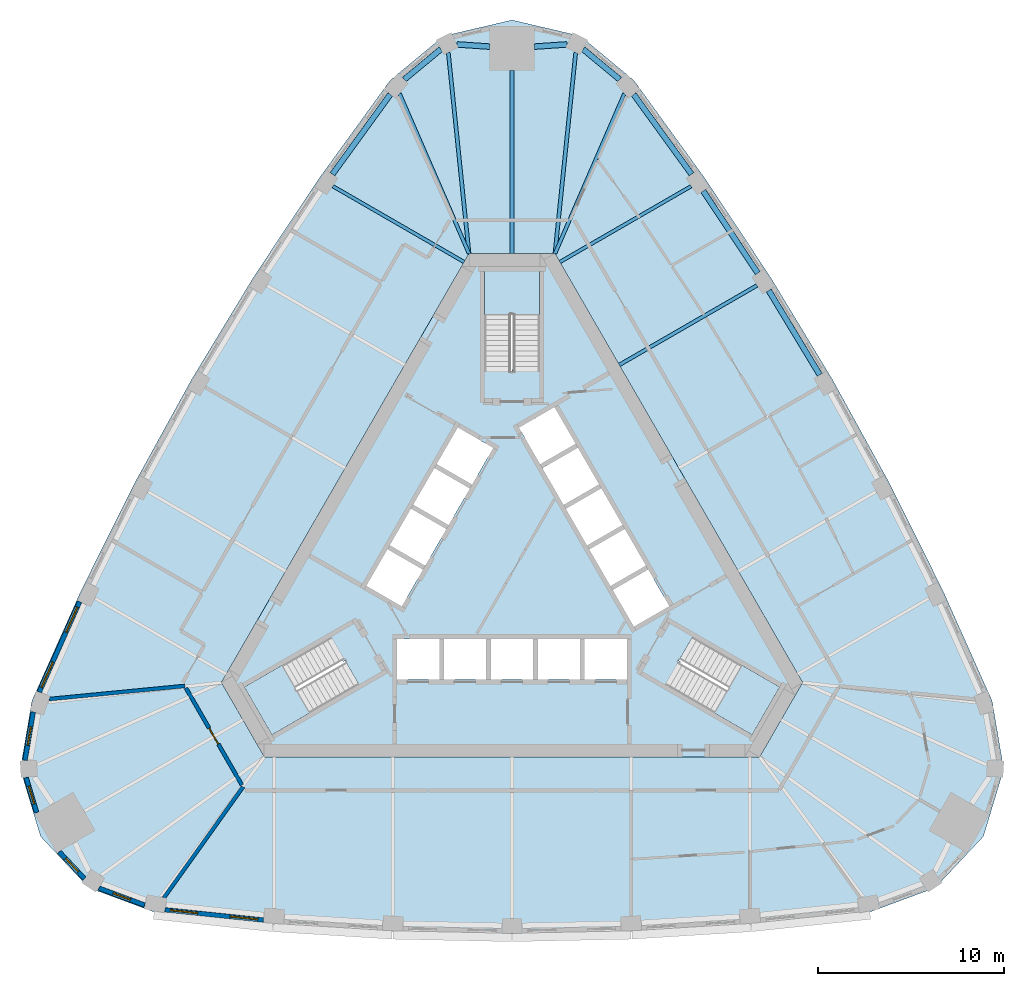
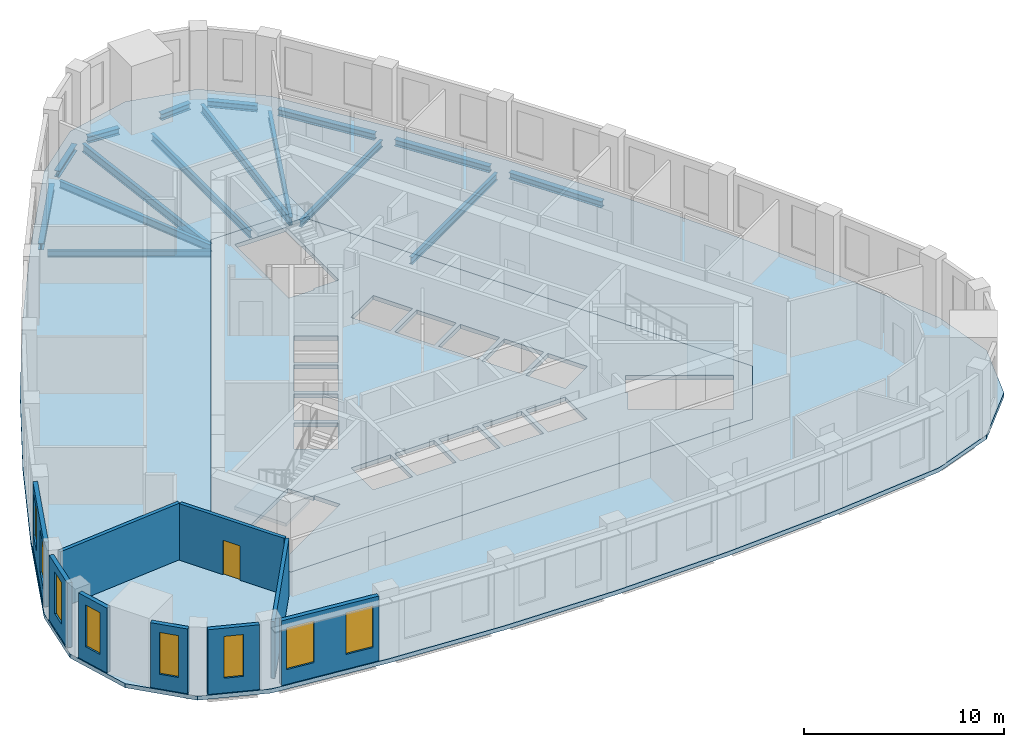
# One storey, part 2 of 10: 16 beams, 9 walls, 8 windows, 5 slabs, 1 door, 9 openings, 3 elements without a shape of their own.
"""IFC4 building model written with IfcOpenShell, lengths in metres."""

from ifc_helpers import new_model, si_unit, direction, frame, frame_2d, origin, origin_2d, place, context, subcontext, project, spatial, polyline, rectangle, i_section, outline, extrude, material, layer, layer_set, material_profile, profile_set, type_object, element, fill, aggregate, save


model = new_model("IFC4")

# Units and contexts
model_context = context("Model", 3, precision=1e-05, world=origin(), true_north=direction((0.0, 1.0)))
body_context = subcontext(model_context, "Body", "Model", "MODEL_VIEW")
ifc_project = project(units=[si_unit("LENGTHUNIT", "METRE"), si_unit("AREAUNIT", "SQUARE_METRE"), si_unit("VOLUMEUNIT", "CUBIC_METRE"), si_unit("PLANEANGLEUNIT", "RADIAN"), si_unit("MASSUNIT", "GRAM", prefix="KILO")], contexts=[model_context])

# Site, building, storey
site_placement = place(None, origin())
site = spatial("IfcSite", under=ifc_project, at=site_placement, CompositionType="ELEMENT")
building_placement = place(site_placement, origin())
building = spatial("IfcBuilding", under=site, at=building_placement, Name="Mestral Congress Tower", CompositionType="ELEMENT")
storey_placement = place(building_placement, frame((0.0, 0.0, 235.199951171875)))
storey = spatial("IfcBuildingStorey", under=building, at=storey_placement, Name="L55", CompositionType="ELEMENT", Elevation=235.199951171875)

# Beams
ifc_material_1 = material(Name="Steel S355", Category="steel")
ifc_material_profile_1 = material_profile(ifc_material_1, i_section(OverallWidth=0.179931640625, OverallDepth=0.39990234375, WebThickness=0.008544921875, FlangeThickness=0.013427734375, FilletRadius=0.02099609375, at=origin_2d()), Name="IPE 400")
ifc_profile_set_1 = profile_set([ifc_material_profile_1], Name="Steel S355")
beam_type_1 = type_object("IfcBeamType", Name="Floor beam IPE 400 S355", PredefinedType="BEAM", material=ifc_profile_set_1)
for number, where, z_axis, x_axis, name in (
    (1, (9.627197265625, 20.321533203125, -0.449951171875), (-0.86601443812, -0.500018992608, 0.0), (0.500018992608, -0.86601443812, 0.0), "BM-L55-RB4-E05"),
    (2, (-9.627197265625, 20.321533203125, -0.449951171875), (0.86601443812, -0.500018992608, 0.0), (0.500018992608, 0.86601443812, 0.0), "BM-L55-RB4-W01"),
):
    element("IfcBeam", number, at=place(storey_placement, frame(where, z_axis=z_axis, x_axis=x_axis)), inside=storey, type_object=beam_type_1, Name=name, PredefinedType="BEAM", context=body_context, shape_type="SweptSolid", body=[
        extrude(i_section(OverallWidth=0.179931640625, OverallDepth=0.39990234375, WebThickness=0.008544921875, FlangeThickness=0.013427734375, FilletRadius=0.02099609375, at=origin_2d()), origin(), (0.0, 0.0, 1.0), 8.148193359375),
    ])
ifc_material_profile_2 = material_profile(ifc_material_1, i_section(OverallWidth=0.18994140625, OverallDepth=0.449951171875, WebThickness=0.009521484375, FlangeThickness=0.0146484375, FilletRadius=0.02099609375, at=origin_2d()), Name="IPE 450")
ifc_profile_set_2 = profile_set([ifc_material_profile_2], Name="Steel S355")
beam_type_2 = type_object("IfcBeamType", Name="Floor beam IPE 450 S355", PredefinedType="BEAM", material=ifc_profile_set_2)
beam_1_placement = place(storey_placement, frame((13.16650390625, 14.98974609375, -0.474853515625), z_axis=(-0.866028621479, -0.499994426748, 0.0), x_axis=(0.499994426748, -0.866028621479, 0.0)))
element("IfcBeam", 3, at=beam_1_placement, inside=storey, type_object=beam_type_2, Name="BM-L55-RB4-E04", PredefinedType="BEAM", context=body_context, shape_type="SweptSolid", body=[
    extrude(i_section(OverallWidth=0.18994140625, OverallDepth=0.449951171875, WebThickness=0.009521484375, FlangeThickness=0.0146484375, FilletRadius=0.02099609375, at=origin_2d()), origin(), (0.0, 0.0, 1.0), 8.54736328125),
])
beam_2_placement = place(storey_placement, frame((6.0419921875, 25.296875, -0.474853515625), z_axis=(-0.398265997009, -0.91726996878, 0.0), x_axis=(0.91726996878, -0.398265997009, 0.0)))
element("IfcBeam", 4, at=beam_2_placement, inside=storey, type_object=beam_type_2, Name="BM-L55-RB4-E06", PredefinedType="BEAM", context=body_context, shape_type="SweptSolid", body=[
    extrude(i_section(OverallWidth=0.18994140625, OverallDepth=0.449951171875, WebThickness=0.009521484375, FlangeThickness=0.0146484375, FilletRadius=0.02099609375, at=origin_2d()), origin(), (0.0, 0.0, 1.0), 9.372314453125),
])
beam_3_placement = place(storey_placement, frame((0.0, 26.54443359375, -0.474853515625), z_axis=(0.0, -1.0, 0.0), x_axis=(1.0, 0.0, 0.0)))
element("IfcBeam", 5, at=beam_3_placement, inside=storey, type_object=beam_type_2, Name="BM-L55-RB4-N", PredefinedType="BEAM", context=body_context, shape_type="SweptSolid", body=[
    extrude(i_section(OverallWidth=0.18994140625, OverallDepth=0.449951171875, WebThickness=0.009521484375, FlangeThickness=0.0146484375, FilletRadius=0.02099609375, at=origin_2d()), origin(), (0.0, 0.0, 1.0), 9.844482421875),
])
beam_4_placement = place(storey_placement, frame((-6.0419921875, 25.296875, -0.474853515625), z_axis=(0.398265997009, -0.91726996878, 0.0), x_axis=(0.91726996878, 0.398265997009, 0.0)))
element("IfcBeam", 6, at=beam_4_placement, inside=storey, type_object=beam_type_2, Name="BM-L55-RB4-W00", PredefinedType="BEAM", context=body_context, shape_type="SweptSolid", body=[
    extrude(i_section(OverallWidth=0.18994140625, OverallDepth=0.449951171875, WebThickness=0.009521484375, FlangeThickness=0.0146484375, FilletRadius=0.02099609375, at=origin_2d()), origin(), (0.0, 0.0, 1.0), 9.372314453125),
])
ifc_material_profile_3 = material_profile(ifc_material_1, i_section(OverallWidth=0.199951171875, OverallDepth=0.5, WebThickness=0.01025390625, FlangeThickness=0.01611328125, FilletRadius=0.02099609375, at=origin_2d()), Name="IPE 500")
ifc_profile_set_3 = profile_set([ifc_material_profile_3], Name="Steel S355")
beam_type_3 = type_object("IfcBeamType", Name="Floor beam IPE 500 S355", PredefinedType="BEAM", material=ifc_profile_set_3)
for number, where, z_axis, x_axis, name in (
    (7, (3.4228515625, 27.5009765625, -0.5), (-0.102550876252, -0.994727760636, 0.0), (0.994727760636, -0.102550876252, 0.0), "BM-L55-RB4-N1"),
    (8, (-3.4228515625, 27.5009765625, -0.5), (0.102550876252, -0.994727760636, 0.0), (0.994727760636, 0.102550876252, 0.0), "BM-L55-RB4-N3"),
):
    element("IfcBeam", number, at=place(storey_placement, frame(where, z_axis=z_axis, x_axis=x_axis)), inside=storey, type_object=beam_type_3, Name=name, PredefinedType="BEAM", context=body_context, shape_type="SweptSolid", body=[
        extrude(i_section(OverallWidth=0.199951171875, OverallDepth=0.5, WebThickness=0.01025390625, FlangeThickness=0.01611328125, FilletRadius=0.02099609375, at=origin_2d()), origin(), (0.0, 0.0, 1.0), 10.858154296875),
    ])
ifc_material_profile_4 = material_profile(ifc_material_1, i_section(OverallWidth=0.300048828125, OverallDepth=0.389892578125, WebThickness=0.010986328125, FlangeThickness=0.01904296875, FilletRadius=0.027099609375, at=origin_2d()), Name="HEA 400")
ifc_profile_set_4 = profile_set([ifc_material_profile_4], Name="Steel S355")
beam_type_4 = type_object("IfcBeamType", Name="Spandrel beam HEA 400 S355", PredefinedType="BEAM", material=ifc_profile_set_4)
for number, where, z_axis, x_axis, name in (
    (9, (16.54248046875, 10.185791015625, -0.445068359375), (-0.517865676042, 0.855461946306, 0.0), (-0.855461946306, -0.517865676042, 0.0), "SP-L55-SB4-E03"),
    (10, (13.209228515625, 15.648193359375, -0.445068359375), (-0.552934106774, 0.833224983762, 0.0), (-0.833224983762, -0.552934106774, 0.0), "SP-L55-SB4-E04"),
):
    element("IfcBeam", number, at=place(storey_placement, frame(where, z_axis=z_axis, x_axis=x_axis)), inside=storey, type_object=beam_type_4, Name=name, PredefinedType="BEAM", context=body_context, shape_type="SweptSolid", body=[
        extrude(i_section(OverallWidth=0.300048828125, OverallDepth=0.389892578125, WebThickness=0.010986328125, FlangeThickness=0.01904296875, FilletRadius=0.027099609375, at=origin_2d()), origin(), (0.0, 0.0, 1.0), 5.29931640625),
    ])
beam_5_placement = place(storey_placement, frame((9.652099609375, 20.967529296875, -0.445068359375), z_axis=(-0.587017415163, 0.809574304369, 0.0), x_axis=(-0.809574304369, -0.587017415163, 0.0)))
element("IfcBeam", 11, at=beam_5_placement, inside=storey, type_object=beam_type_4, Name="SP-L55-SB4-E05", PredefinedType="BEAM", context=body_context, shape_type="SweptSolid", body=[
    extrude(i_section(OverallWidth=0.300048828125, OverallDepth=0.389892578125, WebThickness=0.010986328125, FlangeThickness=0.01904296875, FilletRadius=0.027099609375, at=origin_2d()), origin(), (0.0, 0.0, 1.0), 5.29736328125),
])
beam_6_placement = place(storey_placement, frame((5.789306640625, 26.058837890625, -0.445068359375), z_axis=(-0.769970431757, 0.638079567311, 0.0), x_axis=(-0.638079567311, -0.769970431757, 0.0)))
element("IfcBeam", 12, at=beam_6_placement, inside=storey, type_object=beam_type_4, Name="SP-L55-SB4-E06", PredefinedType="BEAM", context=body_context, shape_type="SweptSolid", body=[
    extrude(i_section(OverallWidth=0.300048828125, OverallDepth=0.389892578125, WebThickness=0.010986328125, FlangeThickness=0.01904296875, FilletRadius=0.027099609375, at=origin_2d()), origin(), (0.0, 0.0, 1.0), 2.547119140625),
])
for number, where, z_axis, x_axis, name in (
    (13, (2.9521484375, 27.94384765625, -0.445068359375), (-0.997724466462, -0.067423208337, 0.0), (0.067423208337, -0.997724466462, 0.0), "SP-L55-SB4-N1"),
    (14, (-1.199951171875, 27.825439453125, -0.445068359375), (-0.997724466462, 0.067423208337, 0.0), (-0.067423208337, -0.997724466462, 0.0), "SP-L55-SB4-N"),
):
    element("IfcBeam", number, at=place(storey_placement, frame(where, z_axis=z_axis, x_axis=x_axis)), inside=storey, type_object=beam_type_4, Name=name, PredefinedType="BEAM", context=body_context, shape_type="SweptSolid", body=[
        extrude(i_section(OverallWidth=0.300048828125, OverallDepth=0.389892578125, WebThickness=0.010986328125, FlangeThickness=0.01904296875, FilletRadius=0.027099609375, at=origin_2d()), origin(), (0.0, 0.0, 1.0), 1.756103515625),
    ])
beam_7_placement = place(storey_placement, frame((-3.828125, 27.68408203125, -0.445068359375), z_axis=(-0.769970431757, -0.638079567311, 0.0), x_axis=(0.638079567311, -0.769970431757, 0.0)))
element("IfcBeam", 15, at=beam_7_placement, inside=storey, type_object=beam_type_4, Name="SP-L55-SB4-N3", PredefinedType="BEAM", context=body_context, shape_type="SweptSolid", body=[
    extrude(i_section(OverallWidth=0.300048828125, OverallDepth=0.389892578125, WebThickness=0.010986328125, FlangeThickness=0.01904296875, FilletRadius=0.027099609375, at=origin_2d()), origin(), (0.0, 0.0, 1.0), 2.547119140625),
])
beam_8_placement = place(storey_placement, frame((-6.54248046875, 25.256103515625, -0.445068359375), z_axis=(-0.587017415163, -0.809574304369, 0.0), x_axis=(0.809574304369, -0.587017415163, 0.0)))
element("IfcBeam", 16, at=beam_8_placement, inside=storey, type_object=beam_type_4, Name="SP-L55-SB4-W00", PredefinedType="BEAM", context=body_context, shape_type="SweptSolid", body=[
    extrude(i_section(OverallWidth=0.300048828125, OverallDepth=0.389892578125, WebThickness=0.010986328125, FlangeThickness=0.01904296875, FilletRadius=0.027099609375, at=origin_2d()), origin(), (0.0, 0.0, 1.0), 5.29736328125),
])

# Slabs
ifc_material_2 = material(Name="Concrete C35/45", Category="concrete")
ifc_layer_1 = layer(ifc_material_2, 0.25)
ifc_layer_set_1 = layer_set([ifc_layer_1], Name="Concrete C35/45")
slab_type_1 = type_object("IfcSlabType", Name="Composite floor slab 250", PredefinedType="FLOOR", material=ifc_layer_set_1)
placement_1 = place(storey_placement, frame((0.0, 0.0, -0.25)))
element("IfcSlab", 17, at=placement_1, inside=storey, type_object=slab_type_1, Name="SL-L55", PredefinedType="FLOOR", context=body_context, shape_type="SweptSolid", body=[
    extrude(outline(polyline([(-19.253662109375, -18.678466796875), (-22.75, -17.381591796875), (-25.3369140625, -14.62841796875), (-26.427978515625, -11.01123046875), (-25.802978515625, -7.334716796875), (-23.16748046875, -1.4306640625), (-20.310302734375, 4.316650390625), (-17.21728515625, 9.9404296875), (-13.8935546875, 15.430908203125), (-10.3447265625, 20.77880859375), (-6.54931640625, 26.013427734375), (-3.677978515625, 28.392822265625), (0.0, 29.256591796875), (3.677978515625, 28.392822265625), (6.54931640625, 26.013427734375), (10.3447265625, 20.77880859375), (13.8935546875, 15.430908203125), (17.21728515625, 9.9404296875), (20.310302734375, 4.316650390625), (23.16748046875, -1.4306640625), (25.802978515625, -7.334716796875), (26.427978515625, -11.01123046875), (25.3369140625, -14.62841796875), (22.75, -17.381591796875), (19.253662109375, -18.678466796875), (12.822509765625, -19.34814453125), (6.416748046875, -19.74755859375), (0.0, -19.880615234375), (-6.416748046875, -19.74755859375), (-12.822509765625, -19.34814453125), (-19.253662109375, -18.678466796875)]), holes=[polyline([(-2.309326171875, 16.699951171875), (-15.6171875, -6.35009765625), (-13.307861328125, -10.35009765625), (13.307861328125, -10.35009765625), (15.6171875, -6.35009765625), (2.309326171875, 16.699951171875), (-2.309326171875, 16.699951171875)])]), origin(), (0.0, 0.0, 1.0), 0.25),
])
ifc_material_3 = material(Name="Concrete C60/75", Category="concrete")
ifc_layer_2 = layer(ifc_material_3, 0.25)
ifc_layer_set_2 = layer_set([ifc_layer_2], Name="Concrete C60/75")
slab_type_2 = type_object("IfcSlabType", Name="Core floor slab RC 250", PredefinedType="FLOOR", material=ifc_layer_set_2)
element("IfcSlab", 18, at=placement_1, inside=storey, type_object=slab_type_2, Name="L55 core floor", PredefinedType="FLOOR", context=body_context, shape_type="SweptSolid", body=[
    extrude(outline(polyline([(13.307861328125, -10.35009765625), (-13.307861328125, -10.35009765625), (-15.6171875, -6.35009765625), (-2.309326171875, 16.699951171875), (2.309326171875, 16.699951171875), (15.6171875, -6.35009765625), (13.307861328125, -10.35009765625)]), holes=[polyline([(-9.8046875, -3.95751953125), (-14.37744140625, -6.59765625), (-12.90234375, -9.15234375), (-8.234619140625, -6.45751953125), (-8.971923828125, -5.179931640625), (-9.0673828125, -5.235107421875), (-9.8046875, -3.95751953125)]), polyline([(-3.905029296875, -4.0), (-6.175048828125, -4.0), (-6.175048828125, -6.199951171875), (-3.905029296875, -6.199951171875), (-3.905029296875, -4.0)]), polyline([(-1.385009765625, -4.0), (-3.655029296875, -4.0), (-3.655029296875, -6.199951171875), (-1.385009765625, -6.199951171875), (-1.385009765625, -4.0)]), polyline([(1.135009765625, -4.0), (-1.135009765625, -4.0), (-1.135009765625, -6.199951171875), (1.135009765625, -6.199951171875), (1.135009765625, -4.0)]), polyline([(-5.921630859375, -2.256591796875), (-4.78662109375, -0.29052734375), (-6.69189453125, 0.809326171875), (-7.826904296875, -1.156494140625), (-5.921630859375, -2.256591796875)]), polyline([(-4.66162109375, -0.07421875), (-3.526611328125, 1.8916015625), (-5.431884765625, 2.99169921875), (-6.56689453125, 1.02587890625), (-4.66162109375, -0.07421875)]), polyline([(-3.401611328125, 2.1083984375), (-2.2666015625, 4.07421875), (-4.171875, 5.174072265625), (-5.306884765625, 3.208251953125), (-3.401611328125, 2.1083984375)]), polyline([(-2.1416015625, 4.29052734375), (-1.006591796875, 6.256591796875), (-2.911865234375, 7.3564453125), (-4.046875, 5.390625), (-2.1416015625, 4.29052734375)]), polyline([(1.47509765625, 10.469970703125), (1.47509765625, 15.75), (-1.47509765625, 15.75), (-1.47509765625, 10.360107421875), (0.0, 10.360107421875), (0.0, 10.469970703125), (1.47509765625, 10.469970703125)]), polyline([(8.329833984375, -6.512451171875), (12.90234375, -9.15234375), (14.37744140625, -6.59765625), (9.70947265625, -3.902587890625), (8.971923828125, -5.179931640625), (9.0673828125, -5.235107421875), (8.329833984375, -6.512451171875)]), polyline([(3.655029296875, -4.0), (1.385009765625, -4.0), (1.385009765625, -6.199951171875), (3.655029296875, -6.199951171875), (3.655029296875, -4.0)]), polyline([(6.175048828125, -4.0), (3.905029296875, -4.0), (3.905029296875, -6.199951171875), (6.175048828125, -6.199951171875), (6.175048828125, -4.0)]), polyline([(5.41650390625, -1.3818359375), (6.551513671875, -3.34765625), (8.456787109375, -2.247802734375), (7.322021484375, -0.28173828125), (5.41650390625, -1.3818359375)]), polyline([(4.156494140625, 0.800537109375), (5.29150390625, -1.165283203125), (7.197021484375, -0.065185546875), (6.06201171875, 1.900634765625), (4.156494140625, 0.800537109375)]), polyline([(2.896484375, 2.98291015625), (4.031494140625, 1.01708984375), (5.93701171875, 2.1171875), (4.802001953125, 4.0830078125), (2.896484375, 2.98291015625)]), polyline([(3.5419921875, 6.265380859375), (1.63671875, 5.165283203125), (2.771484375, 3.199462890625), (4.677001953125, 4.29931640625), (3.5419921875, 6.265380859375)]), polyline([(2.281982421875, 8.44775390625), (0.376708984375, 7.34765625), (1.51171875, 5.3818359375), (3.4169921875, 6.481689453125), (2.281982421875, 8.44775390625)])]), origin(), (0.0, 0.0, 1.0), 0.25),
])

# Stair, slab
stair_type = type_object("IfcStairType", Name="Exit stair 1400", PredefinedType="HALF_TURN_STAIR", material=ifc_material_3)
placement_2 = place(storey_placement, origin())
stair_1 = element("IfcStair", 19, at=placement_2, inside=storey, type_object=stair_type, Name="L55 ST1", PredefinedType="HALF_TURN_STAIR")
ifc_layer_3 = layer(ifc_material_3, 0.199951171875)
ifc_layer_set_3 = layer_set([ifc_layer_3], Name="Concrete C60/75")
slab_type_3 = type_object("IfcSlabType", Name="Exit stair landing 200", PredefinedType="LANDING", material=ifc_layer_set_3)
placement_3 = place(storey_placement, frame((0.0, 0.0, 1.900146484375)))
slab_3 = element("IfcSlab", 20, at=placement_3, type_object=slab_type_3, Name="ST1 landing 1", PredefinedType="LANDING", context=body_context, shape_type="SweptSolid", body=[
    extrude(outline(polyline([(10.879638671875, -7.99609375), (12.364501953125, -5.424072265625), (14.39111328125, -6.593994140625), (12.906005859375, -9.166015625), (10.879638671875, -7.99609375)])), origin(), (0.0, 0.0, 1.0), 0.199951171875),
])
aggregate(stair_1, [slab_3])

stair_2 = element("IfcStair", 21, at=placement_2, inside=storey, type_object=stair_type, Name="L55 ST2", PredefinedType="HALF_TURN_STAIR")
slab_4 = element("IfcSlab", 22, at=placement_3, type_object=slab_type_3, Name="ST2 landing 1", PredefinedType="LANDING", context=body_context, shape_type="SweptSolid", body=[
    extrude(outline(polyline([(1.485107421875, 13.419921875), (-1.485107421875, 13.419921875), (-1.485107421875, 15.760009765625), (1.485107421875, 15.760009765625), (1.485107421875, 13.419921875)])), origin(), (0.0, 0.0, 1.0), 0.199951171875),
])
aggregate(stair_2, [slab_4])

stair_3 = element("IfcStair", 23, at=placement_2, inside=storey, type_object=stair_type, Name="L55 ST3", PredefinedType="HALF_TURN_STAIR")
slab_5 = element("IfcSlab", 24, at=placement_3, type_object=slab_type_3, Name="ST3 landing 1", PredefinedType="LANDING", context=body_context, shape_type="SweptSolid", body=[
    extrude(outline(polyline([(-12.364501953125, -5.424072265625), (-10.879638671875, -7.99609375), (-12.906005859375, -9.166015625), (-14.39111328125, -6.593994140625), (-12.364501953125, -5.424072265625)])), origin(), (0.0, 0.0, 1.0), 0.199951171875),
])
aggregate(stair_3, [slab_5])

# Wall, openings, windows
ifc_material_4 = material(Name="Precast concrete C40/50 with limestone facing", Category="masonry")
ifc_layer_4 = layer(ifc_material_4, 0.239990234375)
ifc_layer_set_4 = layer_set([ifc_layer_4], Name="Precast concrete C40/50 with limestone facing")
wall_type_1 = type_object("IfcWallType", Name="Facade stone wall 240", PredefinedType="SOLIDWALL", material=ifc_layer_set_4)
wall_1_placement = place(storey_placement, frame((-18.644287109375, -18.571044921875, 0.0), z_axis=(0.0, 0.0, 1.0), x_axis=(0.994621961215, -0.103571976272, 0.0)))
wall_1 = element("IfcWall", 25, at=wall_1_placement, inside=storey, type_object=wall_type_1, Name="Facade wall F0-00", PredefinedType="SOLIDWALL", context=body_context, shape_type="SweptSolid", body=[
    extrude(rectangle(XDim=5.310791015625, YDim=0.239990234375, at=frame_2d((2.6552734375, 0.0))), origin(), (0.0, 0.0, 1.0), 3.949951171875),
])
opening_1_placement = place(wall_1_placement, frame((0.271484375, 0.0, 0.89990234375)))
opening_1 = element("IfcOpeningElement", 26, at=opening_1_placement, cuts=wall_1, Name="Opening W4", PredefinedType="OPENING", context=body_context, shape_type="SweptSolid", body=[
    extrude(rectangle(XDim=1.5, YDim=2.550048828125, at=frame_2d((0.75, 1.27490234375))), frame((0.0, 0.1298828125, 0.0), z_axis=(0.0, -1.0, 0.0), x_axis=(1.0, 0.0, 0.0)), (0.0, 0.0, 1.0), 0.260009765625),
])
opening_2_placement = place(wall_1_placement, frame((3.50439453125, 0.0, 0.89990234375)))
opening_2 = element("IfcOpeningElement", 27, at=opening_2_placement, cuts=wall_1, Name="Opening W4", PredefinedType="OPENING", context=body_context, shape_type="SweptSolid", body=[
    extrude(rectangle(XDim=1.5, YDim=2.550048828125, at=frame_2d((0.75, 1.27490234375))), frame((0.0, 0.1298828125, 0.0), z_axis=(0.0, -1.0, 0.0), x_axis=(1.0, 0.0, 0.0)), (0.0, 0.0, 1.0), 0.260009765625),
])
ifc_material_5 = material(Name="Clear low-emissivity double glazing", Category="glass")
window_type_1 = type_object("IfcWindowType", Name="Facade punched window 1500 x 2550 sill 900", PartitioningType="SINGLE_PANEL", PredefinedType="WINDOW", material=ifc_material_5)
window_1_placement = place(opening_1_placement, origin())
window_1 = element("IfcWindow", 28, at=window_1_placement, inside=storey, type_object=window_type_1, Name="Window F0-00a", OverallHeight=2.550048828125, OverallWidth=1.5, PartitioningType="SINGLE_PANEL", PredefinedType="WINDOW", context=body_context, shape_type="SweptSolid", body=[
    extrude(rectangle(XDim=1.5, YDim=2.550048828125, at=frame_2d((0.75, 1.27490234375))), frame((0.0, 0.0400390625, 0.0), z_axis=(0.0, -1.0, 0.0), x_axis=(1.0, 0.0, 0.0)), (0.0, 0.0, 1.0), 0.06005859375),
])
fill(opening_1, window_1)
window_2_placement = place(opening_2_placement, origin())
window_2 = element("IfcWindow", 29, at=window_2_placement, inside=storey, type_object=window_type_1, Name="Window F0-00b", OverallHeight=2.550048828125, OverallWidth=1.5, PartitioningType="SINGLE_PANEL", PredefinedType="WINDOW", context=body_context, shape_type="SweptSolid", body=[
    extrude(rectangle(XDim=1.5, YDim=2.550048828125, at=frame_2d((0.75, 1.27490234375))), frame((0.0, 0.0400390625, 0.0), z_axis=(0.0, -1.0, 0.0), x_axis=(1.0, 0.0, 0.0)), (0.0, 0.0, 1.0), 0.06005859375),
])
fill(opening_2, window_2)

wall_2_placement = place(storey_placement, frame((-23.240478515625, -2.01123046875, 0.0), z_axis=(0.0, 0.0, 1.0), x_axis=(-0.407579651789, -0.913169659728, 0.0)))
wall_2 = element("IfcWall", 30, at=wall_2_placement, inside=storey, type_object=wall_type_1, Name="Facade wall F2-05", PredefinedType="SOLIDWALL", context=body_context, shape_type="SweptSolid", body=[
    extrude(rectangle(XDim=5.310791015625, YDim=0.239990234375, at=frame_2d((2.6552734375, 0.0))), origin(), (0.0, 0.0, 1.0), 3.949951171875),
])
opening_3_placement = place(wall_2_placement, frame((0.306396484375, 0.0, 0.89990234375)))
opening_3 = element("IfcOpeningElement", 31, at=opening_3_placement, cuts=wall_2, Name="Opening W4", PredefinedType="OPENING", context=body_context, shape_type="SweptSolid", body=[
    extrude(rectangle(XDim=1.5, YDim=2.550048828125, at=frame_2d((0.75, 1.27490234375))), frame((0.0, 0.1298828125, 0.0), z_axis=(0.0, -1.0, 0.0), x_axis=(1.0, 0.0, 0.0)), (0.0, 0.0, 1.0), 0.260009765625),
])
opening_4_placement = place(wall_2_placement, frame((3.539306640625, 0.0, 0.89990234375)))
opening_4 = element("IfcOpeningElement", 32, at=opening_4_placement, cuts=wall_2, Name="Opening W4", PredefinedType="OPENING", context=body_context, shape_type="SweptSolid", body=[
    extrude(rectangle(XDim=1.5, YDim=2.550048828125, at=frame_2d((0.75, 1.27490234375))), frame((0.0, 0.1298828125, 0.0), z_axis=(0.0, -1.0, 0.0), x_axis=(1.0, 0.0, 0.0)), (0.0, 0.0, 1.0), 0.260009765625),
])
window_3_placement = place(opening_3_placement, origin())
window_3 = element("IfcWindow", 33, at=window_3_placement, inside=storey, type_object=window_type_1, Name="Window F2-05a", OverallHeight=2.550048828125, OverallWidth=1.5, PartitioningType="SINGLE_PANEL", PredefinedType="WINDOW", context=body_context, shape_type="SweptSolid", body=[
    extrude(rectangle(XDim=1.5, YDim=2.550048828125, at=frame_2d((0.75, 1.27490234375))), frame((0.0, 0.0400390625, 0.0), z_axis=(0.0, -1.0, 0.0), x_axis=(1.0, 0.0, 0.0)), (0.0, 0.0, 1.0), 0.06005859375),
])
fill(opening_3, window_3)
window_4_placement = place(opening_4_placement, origin())
window_4 = element("IfcWindow", 34, at=window_4_placement, inside=storey, type_object=window_type_1, Name="Window F2-05b", OverallHeight=2.550048828125, OverallWidth=1.5, PartitioningType="SINGLE_PANEL", PredefinedType="WINDOW", context=body_context, shape_type="SweptSolid", body=[
    extrude(rectangle(XDim=1.5, YDim=2.550048828125, at=frame_2d((0.75, 1.27490234375))), frame((0.0, 0.0400390625, 0.0), z_axis=(0.0, -1.0, 0.0), x_axis=(1.0, 0.0, 0.0)), (0.0, 0.0, 1.0), 0.06005859375),
])
fill(opening_4, window_4)

# Wall, opening, window
wall_3_placement = place(storey_placement, frame((-25.734130859375, -7.94482421875, 0.0), z_axis=(0.0, 0.0, 1.0), x_axis=(-0.167660055546, -0.985844869021, 0.0)))
wall_3 = element("IfcWall", 35, at=wall_3_placement, inside=storey, type_object=wall_type_1, Name="Facade wall K2-0", PredefinedType="SOLIDWALL", context=body_context, shape_type="SweptSolid", body=[
    extrude(rectangle(XDim=2.609375, YDim=0.239990234375, at=frame_2d((1.3046875, 0.0))), origin(), (0.0, 0.0, 1.0), 3.949951171875),
])
opening_5_placement = place(wall_3_placement, frame((0.8046875, 0.0, 0.89990234375)))
opening_5 = element("IfcOpeningElement", 36, at=opening_5_placement, cuts=wall_3, Name="Opening W5", PredefinedType="OPENING", context=body_context, shape_type="SweptSolid", body=[
    extrude(rectangle(XDim=1.0, YDim=2.550048828125, at=frame_2d((0.5, 1.27490234375))), frame((0.0, 0.1298828125, 0.0), z_axis=(0.0, -1.0, 0.0), x_axis=(1.0, 0.0, 0.0)), (0.0, 0.0, 1.0), 0.260009765625),
])
window_type_2 = type_object("IfcWindowType", Name="Facade punched window 1000 x 2550 sill 900", PartitioningType="SINGLE_PANEL", PredefinedType="WINDOW", material=ifc_material_5)
window_5_placement = place(opening_5_placement, origin())
window_5 = element("IfcWindow", 37, at=window_5_placement, inside=storey, type_object=window_type_2, Name="Window K2-0", OverallHeight=2.550048828125, OverallWidth=1.0, PartitioningType="SINGLE_PANEL", PredefinedType="WINDOW", context=body_context, shape_type="SweptSolid", body=[
    extrude(rectangle(XDim=1.0, YDim=2.550048828125, at=frame_2d((0.5, 1.27490234375))), frame((0.0, 0.0400390625, 0.0), z_axis=(0.0, -1.0, 0.0), x_axis=(1.0, 0.0, 0.0)), (0.0, 0.0, 1.0), 0.06005859375),
])
fill(opening_5, window_5)

wall_4_placement = place(storey_placement, frame((-26.1123046875, -11.469482421875, 0.0), z_axis=(0.0, 0.0, 1.0), x_axis=(0.288727209095, -0.957411405159, 0.0)))
wall_4 = element("IfcWall", 38, at=wall_4_placement, inside=storey, type_object=wall_type_1, Name="Facade wall K2-1", PredefinedType="SOLIDWALL", context=body_context, shape_type="SweptSolid", body=[
    extrude(rectangle(XDim=1.9482421875, YDim=0.239990234375, at=frame_2d((0.97412109375, 0.0))), origin(), (0.0, 0.0, 1.0), 3.949951171875),
])
opening_6_placement = place(wall_4_placement, frame((0.47412109375, 0.0, 0.89990234375)))
opening_6 = element("IfcOpeningElement", 39, at=opening_6_placement, cuts=wall_4, Name="Opening W5", PredefinedType="OPENING", context=body_context, shape_type="SweptSolid", body=[
    extrude(rectangle(XDim=1.0, YDim=2.550048828125, at=frame_2d((0.5, 1.27490234375))), frame((0.0, 0.1298828125, 0.0), z_axis=(0.0, -1.0, 0.0), x_axis=(1.0, 0.0, 0.0)), (0.0, 0.0, 1.0), 0.260009765625),
])
window_6_placement = place(opening_6_placement, origin())
window_6 = element("IfcWindow", 40, at=window_6_placement, inside=storey, type_object=window_type_2, Name="Window K2-1", OverallHeight=2.550048828125, OverallWidth=1.0, PartitioningType="SINGLE_PANEL", PredefinedType="WINDOW", context=body_context, shape_type="SweptSolid", body=[
    extrude(rectangle(XDim=1.0, YDim=2.550048828125, at=frame_2d((0.5, 1.27490234375))), frame((0.0, 0.0400390625, 0.0), z_axis=(0.0, -1.0, 0.0), x_axis=(1.0, 0.0, 0.0)), (0.0, 0.0, 1.0), 0.06005859375),
])
fill(opening_6, window_6)

wall_5_placement = place(storey_placement, frame((-24.322998046875, -15.459228515625, 0.0), z_axis=(0.0, 0.0, 1.0), x_axis=(0.684770274166, -0.728758994194, 0.0)))
wall_5 = element("IfcWall", 41, at=wall_5_placement, inside=storey, type_object=wall_type_1, Name="Facade wall K2-2", PredefinedType="SOLIDWALL", context=body_context, shape_type="SweptSolid", body=[
    extrude(rectangle(XDim=1.947998046875, YDim=0.239990234375, at=frame_2d((0.97412109375, 0.0))), origin(), (0.0, 0.0, 1.0), 3.949951171875),
])
opening_7_placement = place(wall_5_placement, frame((0.47412109375, 0.0, 0.89990234375)))
opening_7 = element("IfcOpeningElement", 42, at=opening_7_placement, cuts=wall_5, Name="Opening W5", PredefinedType="OPENING", context=body_context, shape_type="SweptSolid", body=[
    extrude(rectangle(XDim=1.0, YDim=2.550048828125, at=frame_2d((0.5, 1.27490234375))), frame((0.0, 0.1298828125, 0.0), z_axis=(0.0, -1.0, 0.0), x_axis=(1.0, 0.0, 0.0)), (0.0, 0.0, 1.0), 0.260009765625),
])
window_7_placement = place(opening_7_placement, origin())
window_7 = element("IfcWindow", 43, at=window_7_placement, inside=storey, type_object=window_type_2, Name="Window K2-2", OverallHeight=2.550048828125, OverallWidth=1.0, PartitioningType="SINGLE_PANEL", PredefinedType="WINDOW", context=body_context, shape_type="SweptSolid", body=[
    extrude(rectangle(XDim=1.0, YDim=2.550048828125, at=frame_2d((0.5, 1.27490234375))), frame((0.0, 0.0400390625, 0.0), z_axis=(0.0, -1.0, 0.0), x_axis=(1.0, 0.0, 0.0)), (0.0, 0.0, 1.0), 0.06005859375),
])
fill(opening_7, window_7)

wall_6_placement = place(storey_placement, frame((-22.194091796875, -17.406494140625, 0.0), z_axis=(0.0, 0.0, 1.0), x_axis=(0.937569171184, -0.347798863203, 0.0)))
wall_6 = element("IfcWall", 44, at=wall_6_placement, inside=storey, type_object=wall_type_1, Name="Facade wall K2-3", PredefinedType="SOLIDWALL", context=body_context, shape_type="SweptSolid", body=[
    extrude(rectangle(XDim=2.609130859375, YDim=0.239990234375, at=frame_2d((1.3046875, 0.0))), origin(), (0.0, 0.0, 1.0), 3.949951171875),
])
opening_8_placement = place(wall_6_placement, frame((0.8046875, 0.0, 0.89990234375)))
opening_8 = element("IfcOpeningElement", 45, at=opening_8_placement, cuts=wall_6, Name="Opening W5", PredefinedType="OPENING", context=body_context, shape_type="SweptSolid", body=[
    extrude(rectangle(XDim=1.0, YDim=2.550048828125, at=frame_2d((0.5, 1.27490234375))), frame((0.0, 0.1298828125, 0.0), z_axis=(0.0, -1.0, 0.0), x_axis=(1.0, 0.0, 0.0)), (0.0, 0.0, 1.0), 0.260009765625),
])
window_8_placement = place(opening_8_placement, origin())
window_8 = element("IfcWindow", 46, at=window_8_placement, inside=storey, type_object=window_type_2, Name="Window K2-3", OverallHeight=2.550048828125, OverallWidth=1.0, PartitioningType="SINGLE_PANEL", PredefinedType="WINDOW", context=body_context, shape_type="SweptSolid", body=[
    extrude(rectangle(XDim=1.0, YDim=2.550048828125, at=frame_2d((0.5, 1.27490234375))), frame((0.0, 0.0400390625, 0.0), z_axis=(0.0, -1.0, 0.0), x_axis=(1.0, 0.0, 0.0)), (0.0, 0.0, 1.0), 0.06005859375),
])
fill(opening_8, window_8)

# Walls
ifc_material_6 = material(Name="Dense masonry wall, plastered", Category="masonry")
ifc_layer_5 = layer(ifc_material_6, 0.199951171875)
ifc_layer_set_5 = layer_set([ifc_layer_5], Name="Dense masonry wall, plastered")
wall_type_2 = type_object("IfcWallType", Name="Office tenancy wall 200", PredefinedType="PARTITIONING", material=ifc_layer_set_5)
for number, where, z_axis, x_axis, name in (
    (47, (-17.5859375, -6.540283203125, 0.0), (0.0, 0.0, 1.0), (-0.995357542522, -0.096246363795, 0.0), "Tenancy wall"),
    (48, (-14.45703125, -11.959716796875, 0.0), (0.0, 0.0, 1.0), (-0.581023578026, -0.813886725397, 0.0), "Tenancy wall"),
):
    element("IfcWall", number, at=place(storey_placement, frame(where, z_axis=z_axis, x_axis=x_axis)), inside=storey, type_object=wall_type_2, Name=name, PredefinedType="PARTITIONING", context=body_context, shape_type="SweptSolid", body=[
        extrude(rectangle(XDim=7.318115234375, YDim=0.199951171875, at=frame_2d((3.6591796875, 0.0))), origin(), (0.0, 0.0, 1.0), 3.449951171875),
    ])

# Wall, opening, door
wall_7_placement = place(storey_placement, frame((-17.531005859375, -6.635498046875, 0.0), z_axis=(0.0, 0.0, 1.0), x_axis=(0.500009459589, -0.866019942219, 0.0)))
wall_7 = element("IfcWall", 49, at=wall_7_placement, inside=storey, type_object=wall_type_2, Name="Tenancy wall", PredefinedType="PARTITIONING", context=body_context, shape_type="SweptSolid", body=[
    extrude(rectangle(XDim=6.0380859375, YDim=0.199951171875, at=frame_2d((3.01904296875, 0.0))), origin(), (0.0, 0.0, 1.0), 3.449951171875),
])
opening_9_placement = place(wall_7_placement, frame((2.5, 0.0, 0.0)))
opening_9 = element("IfcOpeningElement", 50, at=opening_9_placement, cuts=wall_7, Name="Opening O08-005", PredefinedType="OPENING", context=body_context, shape_type="SweptSolid", body=[
    extrude(rectangle(XDim=1.0, YDim=2.10009765625, at=frame_2d((0.5, 1.050048828125))), frame((0.0, 0.10986328125, 0.0), z_axis=(0.0, -1.0, 0.0), x_axis=(1.0, 0.0, 0.0)), (0.0, 0.0, 1.0), 0.219970703125),
])
ifc_material_7 = material(Name="Fire-rated timber door set", Category="wood")
door_type = type_object("IfcDoorType", Name="Office tenancy entrance door 1000x2100", OperationType="SINGLE_SWING_LEFT", PredefinedType="DOOR", material=ifc_material_7)
door_placement = place(opening_9_placement, origin())
door = element("IfcDoor", 51, at=door_placement, inside=storey, type_object=door_type, Name="Door O08-005", OperationType="SINGLE_SWING_LEFT", OverallHeight=2.10009765625, OverallWidth=1.0, PredefinedType="DOOR", context=body_context, shape_type="SweptSolid", body=[
    extrude(rectangle(XDim=1.0, YDim=2.10009765625, at=frame_2d((0.5, 1.050048828125))), frame((0.0, 0.02490234375, 0.0), z_axis=(0.0, -1.0, 0.0), x_axis=(1.0, 0.0, 0.0)), (0.0, 0.0, 1.0), 0.050048828125),
])
fill(opening_9, door)

save(model, "model.ifc")
